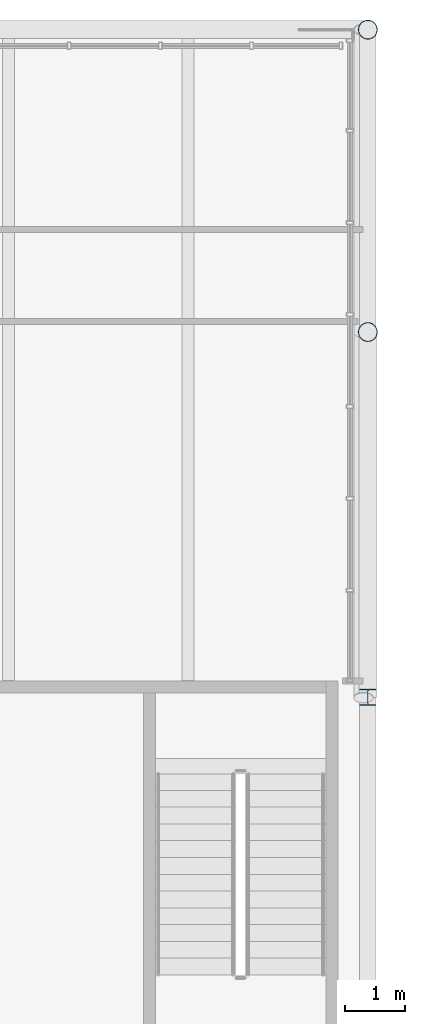
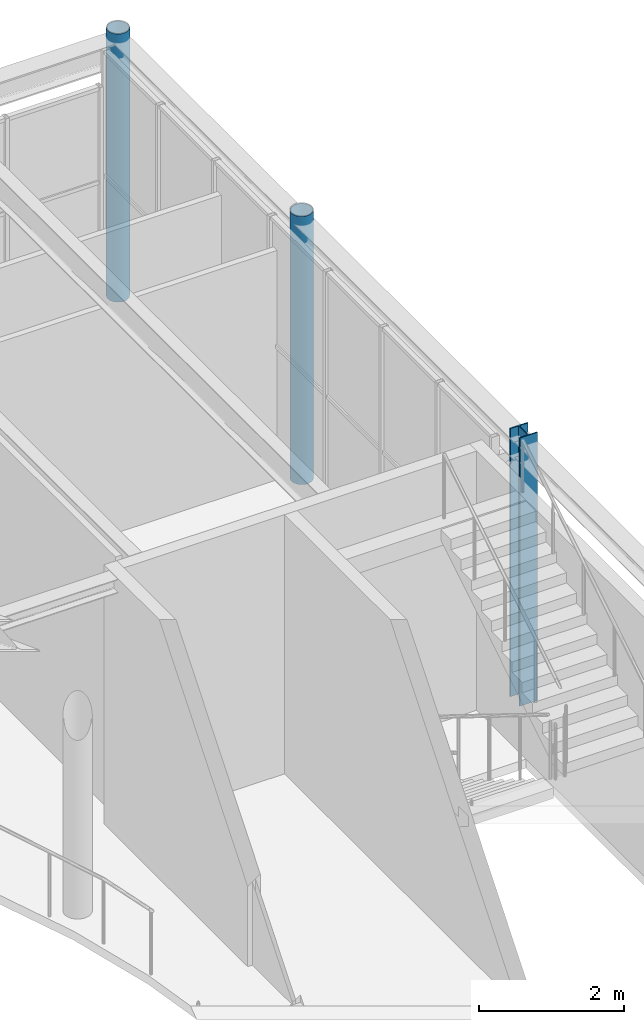
# One storey, part 9 of 70: 3 columns.
"""IFC4 building model written with IfcOpenShell, lengths in metres."""

from ifc_helpers import new_model, si_unit, direction, frame, origin, origin_2d, place, context, subcontext, project, spatial, hollow_circle, i_section, extrude, material, material_profile, profile_set, type_object, element, save


model = new_model("IFC4")

# Units and contexts
model_context = context("Model", 3, precision=1e-05, world=origin(), true_north=direction((0.0, 1.0)))
body_context = subcontext(model_context, "Body", "Model", "MODEL_VIEW")
ifc_project = project(units=[si_unit("LENGTHUNIT", "METRE"), si_unit("AREAUNIT", "SQUARE_METRE"), si_unit("VOLUMEUNIT", "CUBIC_METRE"), si_unit("PLANEANGLEUNIT", "RADIAN"), si_unit("MASSUNIT", "GRAM", prefix="KILO")], contexts=[model_context])

# Site, building, storey
site_placement = place(None, origin())
site = spatial("IfcSite", under=ifc_project, at=site_placement, CompositionType="ELEMENT")
building_placement = place(site_placement, origin())
building = spatial("IfcBuilding", under=site, at=building_placement, Name="Kallimachos Central Library", CompositionType="ELEMENT")
storey_placement = place(building_placement, frame((0.0, 0.0, 18.89990234375)))
storey = spatial("IfcBuildingStorey", under=building, at=storey_placement, Name="L04", CompositionType="ELEMENT", Elevation=18.89990234375)

# Columns
ifc_material_1 = material(Name="Steel S355J2H", Category="steel")
ifc_material_profile_1 = material_profile(ifc_material_1, hollow_circle(Radius=0.161865234375, WallThickness=0.012451171875, at=origin_2d()), Name="CHS 323.9x12.5")
ifc_profile_set_1 = profile_set([ifc_material_profile_1], Name="Steel S355J2H")
column_type_1 = type_object("IfcColumnType", Name="CHS 323.9x12.5 column", PredefinedType="COLUMN", material=ifc_profile_set_1)
for number, where, z_axis, x_axis, name in (
    (1, (110.5, 121.64990234375, 0.0), (0.0, 0.0, 1.0), (1.0, 0.0, 0.0), "V1-COL-L04-040"),
    (2, (110.5, 116.60009765625, 0.0), (0.0, 0.0, 1.0), (1.0, 0.0, 0.0), "V1-COL-L04-046"),
):
    element("IfcColumn", number, at=place(storey_placement, frame(where, z_axis=z_axis, x_axis=x_axis)), inside=storey, type_object=column_type_1, Name=name, PredefinedType="COLUMN", context=body_context, shape_type="SweptSolid", body=[
        extrude(hollow_circle(Radius=0.161865234375, WallThickness=0.012451171875, at=origin_2d()), origin(), (0.0, 0.0, 1.0), 4.5),
    ])
ifc_material_2 = material(Name="Steel S355J2", Category="steel")
ifc_material_profile_2 = material_profile(ifc_material_2, i_section(OverallWidth=0.280029296875, OverallDepth=0.280029296875, WebThickness=0.010498046875, FlangeThickness=0.01806640625, FilletRadius=0.02392578125, at=origin_2d()), Name="HEB 280")
ifc_profile_set_2 = profile_set([ifc_material_profile_2], Name="Steel S355J2")
column_type_2 = type_object("IfcColumnType", Name="HEB 280 column", PredefinedType="COLUMN", material=ifc_profile_set_2)
column_placement = place(storey_placement, frame((110.5, 110.5, 0.0), z_axis=(0.0, 0.0, 1.0), x_axis=(1.0, 0.0, 0.0)))
element("IfcColumn", 3, at=column_placement, inside=storey, type_object=column_type_2, Name="V1-COL-L04-014", PredefinedType="COLUMN", context=body_context, shape_type="SweptSolid", body=[
    extrude(i_section(OverallWidth=0.280029296875, OverallDepth=0.280029296875, WebThickness=0.010498046875, FlangeThickness=0.01806640625, FilletRadius=0.02392578125, at=origin_2d()), origin(), (0.0, 0.0, 1.0), 4.5),
])

save(model, "model.ifc")
